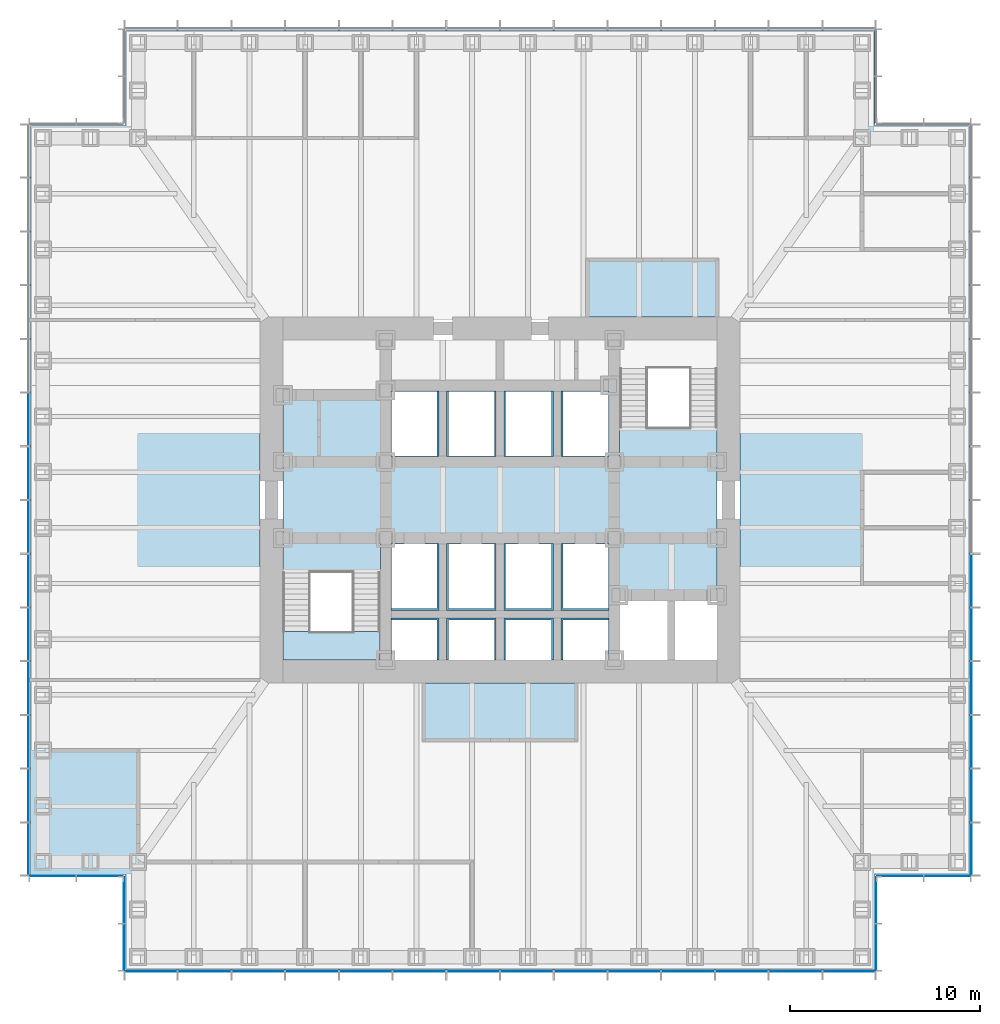
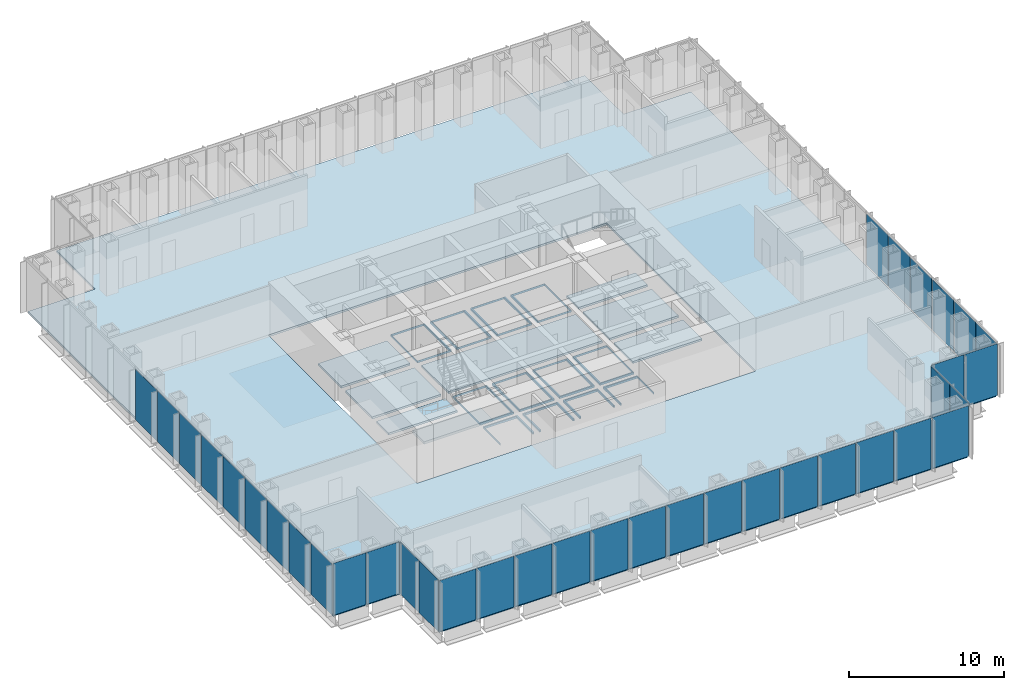
# One storey, part 7 of 17: 37 plates, 21 slabs, 8 elements without a shape of their own.
"""IFC4 building model written with IfcOpenShell, lengths in metres."""

from ifc_helpers import new_model, si_unit, direction, frame, origin, origin_2d, place, context, subcontext, project, spatial, polyline, rectangle, outline, extrude, material, layer, layer_set, type_object, element, aggregate, save


model = new_model("IFC4")

# Units and contexts
model_context = context("Model", 3, precision=1e-05, world=origin(), true_north=direction((0.0, 1.0)))
body_context = subcontext(model_context, "Body", "Model", "MODEL_VIEW")
ifc_project = project(units=[si_unit("LENGTHUNIT", "METRE"), si_unit("AREAUNIT", "SQUARE_METRE"), si_unit("VOLUMEUNIT", "CUBIC_METRE"), si_unit("PLANEANGLEUNIT", "RADIAN"), si_unit("MASSUNIT", "GRAM", prefix="KILO")], contexts=[model_context])

# Site, building, storey
site_placement = place(None, origin())
site = spatial("IfcSite", under=ifc_project, at=site_placement, CompositionType="ELEMENT")
building_placement = place(site_placement, origin())
building = spatial("IfcBuilding", under=site, at=building_placement, Name="Daluyong Arena Tower", CompositionType="ELEMENT")
storey_placement = place(building_placement, frame((0.0, 0.0, 60.10009765625)))
storey = spatial("IfcBuildingStorey", under=building, at=storey_placement, Name="L12", CompositionType="ELEMENT", Elevation=60.10009765625)

# Curtain wall, plates
ifc_material_1 = material(Name="Bronze anodised aluminium and glass", Category="aluminium")
curtain_wall_type_1 = type_object("IfcCurtainWallType", Name="Curtain wall CW1", PredefinedType="USERDEFINED", material=ifc_material_1)
curtain_wall_1_placement = place(storey_placement, origin())
curtain_wall_1 = element("IfcCurtainWall", 1, at=curtain_wall_1_placement, inside=storey, type_object=curtain_wall_type_1, Name="curtain wall L12 S", ObjectType="UNITISED CURTAIN WALL", PredefinedType="USERDEFINED")
ifc_material_2 = material(Name="Tinted double glazed unit", Category="glass")
ifc_layer_1 = layer(ifc_material_2, 0.031982421875)
ifc_layer_set_1 = layer_set([ifc_layer_1], Name="Tinted double glazed unit")
plate_type_1 = type_object("IfcPlateType", Name="CW1 panel 32", PredefinedType="CURTAIN_PANEL", material=ifc_layer_set_1)
plate_1_placement = place(storey_placement, frame((37.6806640625, 55.25, 0.0), z_axis=(0.0, 0.0, 1.0), x_axis=(1.0, 0.0, 0.0)))
plate_1 = element("IfcPlate", 2, at=plate_1_placement, type_object=plate_type_1, Name="curtain wall L12 S panel 1", PredefinedType="CURTAIN_PANEL", context=body_context, shape_type="SweptSolid", body=[
    extrude(rectangle(XDim=2.701416015625, YDim=0.031982421875, at=origin_2d()), origin(), (0.0, 0.0, 1.0), 4.0),
])
plate_2_placement = place(storey_placement, frame((40.482177734375, 55.25, 0.0), z_axis=(0.0, 0.0, 1.0), x_axis=(1.0, 0.0, 0.0)))
plate_2 = element("IfcPlate", 3, at=plate_2_placement, type_object=plate_type_1, Name="curtain wall L12 S panel 2", PredefinedType="CURTAIN_PANEL", context=body_context, shape_type="SweptSolid", body=[
    extrude(rectangle(XDim=2.741455078125, YDim=0.031982421875, at=origin_2d()), origin(), (0.0, 0.0, 1.0), 4.0),
])
plate_3_placement = place(storey_placement, frame((43.303466796875, 55.25, 0.0), z_axis=(0.0, 0.0, 1.0), x_axis=(1.0, 0.0, 0.0)))
plate_3 = element("IfcPlate", 4, at=plate_3_placement, type_object=plate_type_1, Name="curtain wall L12 S panel 3", PredefinedType="CURTAIN_PANEL", context=body_context, shape_type="SweptSolid", body=[
    extrude(rectangle(XDim=2.741455078125, YDim=0.031982421875, at=origin_2d()), origin(), (0.0, 0.0, 1.0), 4.0),
])
plate_4_placement = place(storey_placement, frame((46.125, 55.25, 0.0), z_axis=(0.0, 0.0, 1.0), x_axis=(1.0, 0.0, 0.0)))
plate_4 = element("IfcPlate", 5, at=plate_4_placement, type_object=plate_type_1, Name="curtain wall L12 S panel 4", PredefinedType="CURTAIN_PANEL", context=body_context, shape_type="SweptSolid", body=[
    extrude(rectangle(XDim=2.741455078125, YDim=0.031982421875, at=origin_2d()), origin(), (0.0, 0.0, 1.0), 4.0),
])
plate_5_placement = place(storey_placement, frame((48.946533203125, 55.25, 0.0), z_axis=(0.0, 0.0, 1.0), x_axis=(1.0, 0.0, 0.0)))
plate_5 = element("IfcPlate", 6, at=plate_5_placement, type_object=plate_type_1, Name="curtain wall L12 S panel 5", PredefinedType="CURTAIN_PANEL", context=body_context, shape_type="SweptSolid", body=[
    extrude(rectangle(XDim=2.741455078125, YDim=0.031982421875, at=origin_2d()), origin(), (0.0, 0.0, 1.0), 4.0),
])
plate_6_placement = place(storey_placement, frame((51.767822265625, 55.25, 0.0), z_axis=(0.0, 0.0, 1.0), x_axis=(1.0, 0.0, 0.0)))
plate_6 = element("IfcPlate", 7, at=plate_6_placement, type_object=plate_type_1, Name="curtain wall L12 S panel 6", PredefinedType="CURTAIN_PANEL", context=body_context, shape_type="SweptSolid", body=[
    extrude(rectangle(XDim=2.741455078125, YDim=0.031982421875, at=origin_2d()), origin(), (0.0, 0.0, 1.0), 4.0),
])
plate_7_placement = place(storey_placement, frame((54.58935546875, 55.25, 0.0), z_axis=(0.0, 0.0, 1.0), x_axis=(1.0, 0.0, 0.0)))
plate_7 = element("IfcPlate", 8, at=plate_7_placement, type_object=plate_type_1, Name="curtain wall L12 S panel 7", PredefinedType="CURTAIN_PANEL", context=body_context, shape_type="SweptSolid", body=[
    extrude(rectangle(XDim=2.741455078125, YDim=0.031982421875, at=origin_2d()), origin(), (0.0, 0.0, 1.0), 4.0),
])
plate_8_placement = place(storey_placement, frame((57.41064453125, 55.25, 0.0), z_axis=(0.0, 0.0, 1.0), x_axis=(1.0, 0.0, 0.0)))
plate_8 = element("IfcPlate", 9, at=plate_8_placement, type_object=plate_type_1, Name="curtain wall L12 S panel 8", PredefinedType="CURTAIN_PANEL", context=body_context, shape_type="SweptSolid", body=[
    extrude(rectangle(XDim=2.741455078125, YDim=0.031982421875, at=origin_2d()), origin(), (0.0, 0.0, 1.0), 4.0),
])
plate_9_placement = place(storey_placement, frame((60.232177734375, 55.25, 0.0), z_axis=(0.0, 0.0, 1.0), x_axis=(1.0, 0.0, 0.0)))
plate_9 = element("IfcPlate", 10, at=plate_9_placement, type_object=plate_type_1, Name="curtain wall L12 S panel 9", PredefinedType="CURTAIN_PANEL", context=body_context, shape_type="SweptSolid", body=[
    extrude(rectangle(XDim=2.741455078125, YDim=0.031982421875, at=origin_2d()), origin(), (0.0, 0.0, 1.0), 4.0),
])
plate_10_placement = place(storey_placement, frame((63.053466796875, 55.25, 0.0), z_axis=(0.0, 0.0, 1.0), x_axis=(1.0, 0.0, 0.0)))
plate_10 = element("IfcPlate", 11, at=plate_10_placement, type_object=plate_type_1, Name="curtain wall L12 S panel 10", PredefinedType="CURTAIN_PANEL", context=body_context, shape_type="SweptSolid", body=[
    extrude(rectangle(XDim=2.741455078125, YDim=0.031982421875, at=origin_2d()), origin(), (0.0, 0.0, 1.0), 4.0),
])
plate_11_placement = place(storey_placement, frame((65.875, 55.25, 0.0), z_axis=(0.0, 0.0, 1.0), x_axis=(1.0, 0.0, 0.0)))
plate_11 = element("IfcPlate", 12, at=plate_11_placement, type_object=plate_type_1, Name="curtain wall L12 S panel 11", PredefinedType="CURTAIN_PANEL", context=body_context, shape_type="SweptSolid", body=[
    extrude(rectangle(XDim=2.741455078125, YDim=0.031982421875, at=origin_2d()), origin(), (0.0, 0.0, 1.0), 4.0),
])
plate_12_placement = place(storey_placement, frame((68.696533203125, 55.25, 0.0), z_axis=(0.0, 0.0, 1.0), x_axis=(1.0, 0.0, 0.0)))
plate_12 = element("IfcPlate", 13, at=plate_12_placement, type_object=plate_type_1, Name="curtain wall L12 S panel 12", PredefinedType="CURTAIN_PANEL", context=body_context, shape_type="SweptSolid", body=[
    extrude(rectangle(XDim=2.741455078125, YDim=0.031982421875, at=origin_2d()), origin(), (0.0, 0.0, 1.0), 4.0),
])
plate_13_placement = place(storey_placement, frame((71.517822265625, 55.25, 0.0), z_axis=(0.0, 0.0, 1.0), x_axis=(1.0, 0.0, 0.0)))
plate_13 = element("IfcPlate", 14, at=plate_13_placement, type_object=plate_type_1, Name="curtain wall L12 S panel 13", PredefinedType="CURTAIN_PANEL", context=body_context, shape_type="SweptSolid", body=[
    extrude(rectangle(XDim=2.741455078125, YDim=0.031982421875, at=origin_2d()), origin(), (0.0, 0.0, 1.0), 4.0),
])
plate_14_placement = place(storey_placement, frame((74.3193359375, 55.25, 0.0), z_axis=(0.0, 0.0, 1.0), x_axis=(1.0, 0.0, 0.0)))
plate_14 = element("IfcPlate", 15, at=plate_14_placement, type_object=plate_type_1, Name="curtain wall L12 S panel 14", PredefinedType="CURTAIN_PANEL", context=body_context, shape_type="SweptSolid", body=[
    extrude(rectangle(XDim=2.701416015625, YDim=0.031982421875, at=origin_2d()), origin(), (0.0, 0.0, 1.0), 4.0),
])
aggregate(curtain_wall_1, [plate_1, plate_2, plate_3, plate_4, plate_5, plate_6, plate_7, plate_8, plate_9, plate_10, plate_11, plate_12, plate_13, plate_14])

curtain_wall_2_placement = place(storey_placement, origin())
curtain_wall_2 = element("IfcCurtainWall", 16, at=curtain_wall_2_placement, inside=storey, type_object=curtain_wall_type_1, Name="curtain wall L12 E", ObjectType="UNITISED CURTAIN WALL", PredefinedType="USERDEFINED")
plate_15_placement = place(storey_placement, frame((80.75, 61.6806640625, 0.0), z_axis=(0.0, 0.0, 1.0), x_axis=(0.0, 1.0, 0.0)))
plate_15 = element("IfcPlate", 17, at=plate_15_placement, type_object=plate_type_1, Name="curtain wall L12 E panel 1", PredefinedType="CURTAIN_PANEL", context=body_context, shape_type="SweptSolid", body=[
    extrude(rectangle(XDim=2.701416015625, YDim=0.031982421875, at=origin_2d()), origin(), (0.0, 0.0, 1.0), 4.0),
])
plate_16_placement = place(storey_placement, frame((80.75, 64.482177734375, 0.0), z_axis=(0.0, 0.0, 1.0), x_axis=(0.0, 1.0, 0.0)))
plate_16 = element("IfcPlate", 18, at=plate_16_placement, type_object=plate_type_1, Name="curtain wall L12 E panel 2", PredefinedType="CURTAIN_PANEL", context=body_context, shape_type="SweptSolid", body=[
    extrude(rectangle(XDim=2.741455078125, YDim=0.031982421875, at=origin_2d()), origin(), (0.0, 0.0, 1.0), 4.0),
])
plate_17_placement = place(storey_placement, frame((80.75, 67.303466796875, 0.0), z_axis=(0.0, 0.0, 1.0), x_axis=(0.0, 1.0, 0.0)))
plate_17 = element("IfcPlate", 19, at=plate_17_placement, type_object=plate_type_1, Name="curtain wall L12 E panel 3", PredefinedType="CURTAIN_PANEL", context=body_context, shape_type="SweptSolid", body=[
    extrude(rectangle(XDim=2.741455078125, YDim=0.031982421875, at=origin_2d()), origin(), (0.0, 0.0, 1.0), 4.0),
])
plate_18_placement = place(storey_placement, frame((80.75, 70.125, 0.0), z_axis=(0.0, 0.0, 1.0), x_axis=(0.0, 1.0, 0.0)))
plate_18 = element("IfcPlate", 20, at=plate_18_placement, type_object=plate_type_1, Name="curtain wall L12 E panel 4", PredefinedType="CURTAIN_PANEL", context=body_context, shape_type="SweptSolid", body=[
    extrude(rectangle(XDim=2.741455078125, YDim=0.031982421875, at=origin_2d()), origin(), (0.0, 0.0, 1.0), 4.0),
])
plate_19_placement = place(storey_placement, frame((80.75, 72.946533203125, 0.0), z_axis=(0.0, 0.0, 1.0), x_axis=(0.0, 1.0, 0.0)))
plate_19 = element("IfcPlate", 21, at=plate_19_placement, type_object=plate_type_1, Name="curtain wall L12 E panel 5", PredefinedType="CURTAIN_PANEL", context=body_context, shape_type="SweptSolid", body=[
    extrude(rectangle(XDim=2.741455078125, YDim=0.031982421875, at=origin_2d()), origin(), (0.0, 0.0, 1.0), 4.0),
])
plate_20_placement = place(storey_placement, frame((80.75, 75.767822265625, 0.0), z_axis=(0.0, 0.0, 1.0), x_axis=(0.0, 1.0, 0.0)))
plate_20 = element("IfcPlate", 22, at=plate_20_placement, type_object=plate_type_1, Name="curtain wall L12 E panel 6", PredefinedType="CURTAIN_PANEL", context=body_context, shape_type="SweptSolid", body=[
    extrude(rectangle(XDim=2.741455078125, YDim=0.031982421875, at=origin_2d()), origin(), (0.0, 0.0, 1.0), 4.0),
])
aggregate(curtain_wall_2, [plate_15, plate_16, plate_17, plate_18, plate_19, plate_20])

curtain_wall_3_placement = place(storey_placement, origin())
curtain_wall_3 = element("IfcCurtainWall", 23, at=curtain_wall_3_placement, inside=storey, type_object=curtain_wall_type_1, Name="curtain wall L12 W", ObjectType="UNITISED CURTAIN WALL", PredefinedType="USERDEFINED")
plate_21_placement = place(storey_placement, frame((31.25, 84.232177734375, 0.0), z_axis=(0.0, 0.0, 1.0), x_axis=(0.0, -1.0, 0.0)))
plate_21 = element("IfcPlate", 24, at=plate_21_placement, type_object=plate_type_1, Name="curtain wall L12 W panel 6", PredefinedType="CURTAIN_PANEL", context=body_context, shape_type="SweptSolid", body=[
    extrude(rectangle(XDim=2.741455078125, YDim=0.031982421875, at=origin_2d()), origin(), (0.0, 0.0, 1.0), 4.0),
])
plate_22_placement = place(storey_placement, frame((31.25, 81.41064453125, 0.0), z_axis=(0.0, 0.0, 1.0), x_axis=(0.0, -1.0, 0.0)))
plate_22 = element("IfcPlate", 25, at=plate_22_placement, type_object=plate_type_1, Name="curtain wall L12 W panel 7", PredefinedType="CURTAIN_PANEL", context=body_context, shape_type="SweptSolid", body=[
    extrude(rectangle(XDim=2.741455078125, YDim=0.031982421875, at=origin_2d()), origin(), (0.0, 0.0, 1.0), 4.0),
])
plate_23_placement = place(storey_placement, frame((31.25, 78.58935546875, 0.0), z_axis=(0.0, 0.0, 1.0), x_axis=(0.0, -1.0, 0.0)))
plate_23 = element("IfcPlate", 26, at=plate_23_placement, type_object=plate_type_1, Name="curtain wall L12 W panel 8", PredefinedType="CURTAIN_PANEL", context=body_context, shape_type="SweptSolid", body=[
    extrude(rectangle(XDim=2.741455078125, YDim=0.031982421875, at=origin_2d()), origin(), (0.0, 0.0, 1.0), 4.0),
])
plate_24_placement = place(storey_placement, frame((31.25, 75.767822265625, 0.0), z_axis=(0.0, 0.0, 1.0), x_axis=(0.0, -1.0, 0.0)))
plate_24 = element("IfcPlate", 27, at=plate_24_placement, type_object=plate_type_1, Name="curtain wall L12 W panel 9", PredefinedType="CURTAIN_PANEL", context=body_context, shape_type="SweptSolid", body=[
    extrude(rectangle(XDim=2.741455078125, YDim=0.031982421875, at=origin_2d()), origin(), (0.0, 0.0, 1.0), 4.0),
])
plate_25_placement = place(storey_placement, frame((31.25, 72.946533203125, 0.0), z_axis=(0.0, 0.0, 1.0), x_axis=(0.0, -1.0, 0.0)))
plate_25 = element("IfcPlate", 28, at=plate_25_placement, type_object=plate_type_1, Name="curtain wall L12 W panel 10", PredefinedType="CURTAIN_PANEL", context=body_context, shape_type="SweptSolid", body=[
    extrude(rectangle(XDim=2.741455078125, YDim=0.031982421875, at=origin_2d()), origin(), (0.0, 0.0, 1.0), 4.0),
])
plate_26_placement = place(storey_placement, frame((31.25, 70.125, 0.0), z_axis=(0.0, 0.0, 1.0), x_axis=(0.0, -1.0, 0.0)))
plate_26 = element("IfcPlate", 29, at=plate_26_placement, type_object=plate_type_1, Name="curtain wall L12 W panel 11", PredefinedType="CURTAIN_PANEL", context=body_context, shape_type="SweptSolid", body=[
    extrude(rectangle(XDim=2.741455078125, YDim=0.031982421875, at=origin_2d()), origin(), (0.0, 0.0, 1.0), 4.0),
])
plate_27_placement = place(storey_placement, frame((31.25, 67.303466796875, 0.0), z_axis=(0.0, 0.0, 1.0), x_axis=(0.0, -1.0, 0.0)))
plate_27 = element("IfcPlate", 30, at=plate_27_placement, type_object=plate_type_1, Name="curtain wall L12 W panel 12", PredefinedType="CURTAIN_PANEL", context=body_context, shape_type="SweptSolid", body=[
    extrude(rectangle(XDim=2.741455078125, YDim=0.031982421875, at=origin_2d()), origin(), (0.0, 0.0, 1.0), 4.0),
])
plate_28_placement = place(storey_placement, frame((31.25, 64.482177734375, 0.0), z_axis=(0.0, 0.0, 1.0), x_axis=(0.0, -1.0, 0.0)))
plate_28 = element("IfcPlate", 31, at=plate_28_placement, type_object=plate_type_1, Name="curtain wall L12 W panel 13", PredefinedType="CURTAIN_PANEL", context=body_context, shape_type="SweptSolid", body=[
    extrude(rectangle(XDim=2.741455078125, YDim=0.031982421875, at=origin_2d()), origin(), (0.0, 0.0, 1.0), 4.0),
])
plate_29_placement = place(storey_placement, frame((31.25, 61.6806640625, 0.0), z_axis=(0.0, 0.0, 1.0), x_axis=(0.0, -1.0, 0.0)))
plate_29 = element("IfcPlate", 32, at=plate_29_placement, type_object=plate_type_1, Name="curtain wall L12 W panel 14", PredefinedType="CURTAIN_PANEL", context=body_context, shape_type="SweptSolid", body=[
    extrude(rectangle(XDim=2.701416015625, YDim=0.031982421875, at=origin_2d()), origin(), (0.0, 0.0, 1.0), 4.0),
])
aggregate(curtain_wall_3, [plate_21, plate_22, plate_23, plate_24, plate_25, plate_26, plate_27, plate_28, plate_29])

ifc_material_3 = material(Name="Bronze anodised aluminium and glass", Category="aluminium")
curtain_wall_type_2 = type_object("IfcCurtainWallType", Name="Curtain wall CW7", PredefinedType="USERDEFINED", material=ifc_material_3)
curtain_wall_4_placement = place(storey_placement, origin())
curtain_wall_4 = element("IfcCurtainWall", 33, at=curtain_wall_4_placement, inside=storey, type_object=curtain_wall_type_2, Name="curtain wall L12 SE-E", ObjectType="UNITISED CURTAIN WALL", PredefinedType="USERDEFINED")
ifc_material_4 = material(Name="Tinted double glazed unit", Category="glass")
ifc_layer_2 = layer(ifc_material_4, 0.028076171875)
ifc_layer_set_2 = layer_set([ifc_layer_2], Name="Tinted double glazed unit")
plate_type_2 = type_object("IfcPlateType", Name="CW7 panel 28", PredefinedType="CURTAIN_PANEL", material=ifc_layer_set_2)
plate_30_placement = place(storey_placement, frame((75.75, 56.514892578125, -0.000244140625), z_axis=(0.0, 0.0, 1.0), x_axis=(0.0, 1.0, 0.0)))
plate_30 = element("IfcPlate", 34, at=plate_30_placement, type_object=plate_type_2, Name="curtain wall L12 SE-E panel 1", PredefinedType="CURTAIN_PANEL", context=body_context, shape_type="SweptSolid", body=[
    extrude(rectangle(XDim=2.409912109375, YDim=0.028076171875, at=origin_2d()), origin(), (0.0, 0.0, 1.0), 4.080078125),
])
plate_31_placement = place(storey_placement, frame((75.75, 58.985107421875, -0.000244140625), z_axis=(0.0, 0.0, 1.0), x_axis=(0.0, 1.0, 0.0)))
plate_31 = element("IfcPlate", 35, at=plate_31_placement, type_object=plate_type_2, Name="curtain wall L12 SE-E panel 2", PredefinedType="CURTAIN_PANEL", context=body_context, shape_type="SweptSolid", body=[
    extrude(rectangle(XDim=2.409912109375, YDim=0.028076171875, at=origin_2d()), origin(), (0.0, 0.0, 1.0), 4.080078125),
])
aggregate(curtain_wall_4, [plate_30, plate_31])

curtain_wall_5_placement = place(storey_placement, origin())
curtain_wall_5 = element("IfcCurtainWall", 36, at=curtain_wall_5_placement, inside=storey, type_object=curtain_wall_type_2, Name="curtain wall L12 SE-S", ObjectType="UNITISED CURTAIN WALL", PredefinedType="USERDEFINED")
plate_32_placement = place(storey_placement, frame((77.014892578125, 60.25, -0.000244140625), z_axis=(0.0, 0.0, 1.0), x_axis=(1.0, 0.0, 0.0)))
plate_32 = element("IfcPlate", 37, at=plate_32_placement, type_object=plate_type_2, Name="curtain wall L12 SE-S panel 1", PredefinedType="CURTAIN_PANEL", context=body_context, shape_type="SweptSolid", body=[
    extrude(rectangle(XDim=2.409912109375, YDim=0.028076171875, at=origin_2d()), origin(), (0.0, 0.0, 1.0), 4.080078125),
])
plate_33_placement = place(storey_placement, frame((79.485107421875, 60.25, -0.000244140625), z_axis=(0.0, 0.0, 1.0), x_axis=(1.0, 0.0, 0.0)))
plate_33 = element("IfcPlate", 38, at=plate_33_placement, type_object=plate_type_2, Name="curtain wall L12 SE-S panel 2", PredefinedType="CURTAIN_PANEL", context=body_context, shape_type="SweptSolid", body=[
    extrude(rectangle(XDim=2.409912109375, YDim=0.028076171875, at=origin_2d()), origin(), (0.0, 0.0, 1.0), 4.080078125),
])
aggregate(curtain_wall_5, [plate_32, plate_33])

curtain_wall_6_placement = place(storey_placement, origin())
curtain_wall_6 = element("IfcCurtainWall", 39, at=curtain_wall_6_placement, inside=storey, type_object=curtain_wall_type_2, Name="curtain wall L12 SW-S", ObjectType="UNITISED CURTAIN WALL", PredefinedType="USERDEFINED")
plate_34_placement = place(storey_placement, frame((32.514892578125, 60.25, -0.000244140625), z_axis=(0.0, 0.0, 1.0), x_axis=(1.0, 0.0, 0.0)))
plate_34 = element("IfcPlate", 40, at=plate_34_placement, type_object=plate_type_2, Name="curtain wall L12 SW-S panel 1", PredefinedType="CURTAIN_PANEL", context=body_context, shape_type="SweptSolid", body=[
    extrude(rectangle(XDim=2.409912109375, YDim=0.028076171875, at=origin_2d()), origin(), (0.0, 0.0, 1.0), 4.080078125),
])
plate_35_placement = place(storey_placement, frame((34.985107421875, 60.25, -0.000244140625), z_axis=(0.0, 0.0, 1.0), x_axis=(1.0, 0.0, 0.0)))
plate_35 = element("IfcPlate", 41, at=plate_35_placement, type_object=plate_type_2, Name="curtain wall L12 SW-S panel 2", PredefinedType="CURTAIN_PANEL", context=body_context, shape_type="SweptSolid", body=[
    extrude(rectangle(XDim=2.409912109375, YDim=0.028076171875, at=origin_2d()), origin(), (0.0, 0.0, 1.0), 4.080078125),
])
aggregate(curtain_wall_6, [plate_34, plate_35])

curtain_wall_7_placement = place(storey_placement, origin())
curtain_wall_7 = element("IfcCurtainWall", 42, at=curtain_wall_7_placement, inside=storey, type_object=curtain_wall_type_2, Name="curtain wall L12 SW-W", ObjectType="UNITISED CURTAIN WALL", PredefinedType="USERDEFINED")
plate_36_placement = place(storey_placement, frame((36.25, 58.985107421875, -0.000244140625), z_axis=(0.0, 0.0, 1.0), x_axis=(0.0, -1.0, 0.0)))
plate_36 = element("IfcPlate", 43, at=plate_36_placement, type_object=plate_type_2, Name="curtain wall L12 SW-W panel 1", PredefinedType="CURTAIN_PANEL", context=body_context, shape_type="SweptSolid", body=[
    extrude(rectangle(XDim=2.409912109375, YDim=0.028076171875, at=origin_2d()), origin(), (0.0, 0.0, 1.0), 4.080078125),
])
plate_37_placement = place(storey_placement, frame((36.25, 56.514892578125, -0.000244140625), z_axis=(0.0, 0.0, 1.0), x_axis=(0.0, -1.0, 0.0)))
plate_37 = element("IfcPlate", 44, at=plate_37_placement, type_object=plate_type_2, Name="curtain wall L12 SW-W panel 2", PredefinedType="CURTAIN_PANEL", context=body_context, shape_type="SweptSolid", body=[
    extrude(rectangle(XDim=2.409912109375, YDim=0.028076171875, at=origin_2d()), origin(), (0.0, 0.0, 1.0), 4.080078125),
])
aggregate(curtain_wall_7, [plate_36, plate_37])

# Stair, slab
ifc_material_5 = material(Name="Concrete fc' 35 MPa", Category="concrete")
stair_type = type_object("IfcStairType", Name="Core exit stair", PredefinedType="HALF_TURN_STAIR", material=ifc_material_5)
stair_placement = place(storey_placement, origin())
stair = element("IfcStair", 45, at=stair_placement, inside=storey, type_object=stair_type, Name="exit stair A L12", PredefinedType="HALF_TURN_STAIR")
ifc_material_6 = material(Name="Concrete fc' 35 MPa", Category="concrete")
ifc_layer_3 = layer(ifc_material_6, 0.199951171875)
ifc_layer_set_3 = layer_set([ifc_layer_3], Name="Concrete fc' 35 MPa")
slab_type_1 = type_object("IfcSlabType", Name="Stair landing 200", PredefinedType="LANDING", material=ifc_layer_set_3)
slab_1_placement = place(storey_placement, frame((0.0, 0.0, 1.89990234375)))
slab_1 = element("IfcSlab", 46, at=slab_1_placement, type_object=slab_type_1, Name="STA landing 1", PredefinedType="LANDING", context=body_context, shape_type="SweptSolid", body=[
    extrude(outline(polyline([(44.60009765625, 71.60009765625), (49.699951171875, 71.60009765625), (49.699951171875, 73.094970703125), (44.60009765625, 73.094970703125), (44.60009765625, 71.60009765625)])), origin(), (0.0, 0.0, 1.0), 0.199951171875),
])
aggregate(stair, [slab_1])

# Slabs
ifc_material_7 = material(Name="Concrete fc' 35 MPa", Category="concrete")
ifc_layer_4 = layer(ifc_material_7, 0.159912109375)
ifc_layer_set_4 = layer_set([ifc_layer_4], Name="Concrete fc' 35 MPa")
slab_type_2 = type_object("IfcSlabType", Name="Tower floor slab 160", PredefinedType="FLOOR", material=ifc_layer_set_4)
slab_2_placement = place(storey_placement, frame((0.0, 0.0, -0.16015625)))
element("IfcSlab", 47, at=slab_2_placement, inside=storey, type_object=slab_type_2, Name="floor L12 part 1", PredefinedType="FLOOR", context=body_context, shape_type="SweptSolid", body=[
    extrude(outline(polyline([(49.72509765625, 76.175048828125), (49.72509765625, 77.72509765625), (44.60009765625, 77.72509765625), (44.60009765625, 76.175048828125), (49.72509765625, 76.175048828125)])), origin(), (0.0, 0.0, 1.0), 0.16015625),
])
slab_3_placement = place(storey_placement, frame((0.0, 0.0, -0.16015625)))
element("IfcSlab", 48, at=slab_3_placement, inside=storey, type_object=slab_type_2, Name="floor L12 part 2", PredefinedType="FLOOR", context=body_context, shape_type="SweptSolid", body=[
    extrude(outline(polyline([(49.72509765625, 78.27490234375), (49.72509765625, 81.72509765625), (44.60009765625, 81.72509765625), (44.60009765625, 78.27490234375), (49.72509765625, 78.27490234375)])), origin(), (0.0, 0.0, 1.0), 0.16015625),
])
slab_4_placement = place(storey_placement, frame((0.0, 0.0, -0.16015625)))
element("IfcSlab", 49, at=slab_4_placement, inside=storey, type_object=slab_type_2, Name="floor L12 part 3", PredefinedType="FLOOR", context=body_context, shape_type="SweptSolid", body=[
    extrude(outline(polyline([(49.72509765625, 82.27490234375), (49.72509765625, 85.22509765625), (44.60009765625, 85.22509765625), (44.60009765625, 82.27490234375), (49.72509765625, 82.27490234375)])), origin(), (0.0, 0.0, 1.0), 0.16015625),
])
slab_5_placement = place(storey_placement, frame((0.0, 0.0, -0.16015625)))
element("IfcSlab", 50, at=slab_5_placement, inside=storey, type_object=slab_type_2, Name="floor L12 part 5", PredefinedType="FLOOR", context=body_context, shape_type="SweptSolid", body=[
    extrude(outline(polyline([(52.699951171875, 73.699951171875), (52.699951171875, 71.60009765625), (52.800048828125, 71.60009765625), (52.800048828125, 73.800048828125), (50.27490234375, 73.800048828125), (50.27490234375, 71.60009765625), (50.300048828125, 71.60009765625), (50.300048828125, 73.699951171875), (52.699951171875, 73.699951171875)])), origin(), (0.0, 0.0, 1.0), 0.16015625),
])
slab_6_placement = place(storey_placement, frame((0.0, 0.0, -0.16015625)))
element("IfcSlab", 51, at=slab_6_placement, inside=storey, type_object=slab_type_2, Name="floor L12 part 6", PredefinedType="FLOOR", context=body_context, shape_type="SweptSolid", body=[
    extrude(outline(polyline([(50.27490234375, 77.72509765625), (50.27490234375, 74.199951171875), (52.800048828125, 74.199951171875), (52.800048828125, 77.72509765625), (50.27490234375, 77.72509765625)]), holes=[polyline([(52.699951171875, 77.699951171875), (52.699951171875, 74.300048828125), (50.300048828125, 74.300048828125), (50.300048828125, 77.699951171875), (52.699951171875, 77.699951171875)])]), origin(), (0.0, 0.0, 1.0), 0.16015625),
])
slab_7_placement = place(storey_placement, frame((0.0, 0.0, -0.16015625)))
element("IfcSlab", 52, at=slab_7_placement, inside=storey, type_object=slab_type_2, Name="floor L12 part 7", PredefinedType="FLOOR", context=body_context, shape_type="SweptSolid", body=[
    extrude(outline(polyline([(50.27490234375, 85.72509765625), (50.27490234375, 82.27490234375), (52.800048828125, 82.27490234375), (52.800048828125, 85.72509765625), (50.27490234375, 85.72509765625)]), holes=[polyline([(52.699951171875, 85.699951171875), (52.699951171875, 82.300048828125), (50.300048828125, 82.300048828125), (50.300048828125, 85.699951171875), (52.699951171875, 85.699951171875)])]), origin(), (0.0, 0.0, 1.0), 0.16015625),
])
slab_8_placement = place(storey_placement, frame((0.0, 0.0, -0.16015625)))
element("IfcSlab", 53, at=slab_8_placement, inside=storey, type_object=slab_type_2, Name="floor L12 part 9", PredefinedType="FLOOR", context=body_context, shape_type="SweptSolid", body=[
    extrude(outline(polyline([(55.699951171875, 73.699951171875), (55.699951171875, 71.60009765625), (55.800048828125, 71.60009765625), (55.800048828125, 73.800048828125), (53.199951171875, 73.800048828125), (53.199951171875, 71.60009765625), (53.300048828125, 71.60009765625), (53.300048828125, 73.699951171875), (55.699951171875, 73.699951171875)])), origin(), (0.0, 0.0, 1.0), 0.16015625),
])
slab_9_placement = place(storey_placement, frame((0.0, 0.0, -0.16015625)))
element("IfcSlab", 54, at=slab_9_placement, inside=storey, type_object=slab_type_2, Name="floor L12 part 10", PredefinedType="FLOOR", context=body_context, shape_type="SweptSolid", body=[
    extrude(outline(polyline([(53.199951171875, 77.72509765625), (53.199951171875, 74.199951171875), (55.800048828125, 74.199951171875), (55.800048828125, 77.72509765625), (53.199951171875, 77.72509765625)]), holes=[polyline([(55.699951171875, 77.699951171875), (55.699951171875, 74.300048828125), (53.300048828125, 74.300048828125), (53.300048828125, 77.699951171875), (55.699951171875, 77.699951171875)])]), origin(), (0.0, 0.0, 1.0), 0.16015625),
])
slab_10_placement = place(storey_placement, frame((0.0, 0.0, -0.16015625)))
element("IfcSlab", 55, at=slab_10_placement, inside=storey, type_object=slab_type_2, Name="floor L12 part 11", PredefinedType="FLOOR", context=body_context, shape_type="SweptSolid", body=[
    extrude(outline(polyline([(53.199951171875, 85.72509765625), (53.199951171875, 82.27490234375), (55.800048828125, 82.27490234375), (55.800048828125, 85.72509765625), (53.199951171875, 85.72509765625)]), holes=[polyline([(55.699951171875, 85.699951171875), (55.699951171875, 82.300048828125), (53.300048828125, 82.300048828125), (53.300048828125, 85.699951171875), (55.699951171875, 85.699951171875)])]), origin(), (0.0, 0.0, 1.0), 0.16015625),
])
slab_11_placement = place(storey_placement, frame((0.0, 0.0, -0.16015625)))
element("IfcSlab", 56, at=slab_11_placement, inside=storey, type_object=slab_type_2, Name="floor L12 part 12", PredefinedType="FLOOR", context=body_context, shape_type="SweptSolid", body=[
    extrude(outline(polyline([(36.35009765625, 60.35009765625), (36.35009765625, 55.35009765625), (75.64990234375, 55.35009765625), (75.64990234375, 60.35009765625), (80.64990234375, 60.35009765625), (80.64990234375, 99.64990234375), (75.64990234375, 99.64990234375), (75.64990234375, 104.64990234375), (36.35009765625, 104.64990234375), (36.35009765625, 99.64990234375), (31.35009765625, 99.64990234375), (31.35009765625, 60.35009765625), (36.35009765625, 60.35009765625)]), holes=[polyline([(68.60009765625, 89.60009765625), (68.60009765625, 70.39990234375), (43.39990234375, 70.39990234375), (43.39990234375, 89.60009765625), (68.60009765625, 89.60009765625)])]), origin(), (0.0, 0.0, 1.0), 0.16015625),
])
slab_12_placement = place(storey_placement, frame((0.0, 0.0, -0.16015625)))
element("IfcSlab", 57, at=slab_12_placement, inside=storey, type_object=slab_type_2, Name="floor L12 part 13", PredefinedType="FLOOR", context=body_context, shape_type="SweptSolid", body=[
    extrude(outline(polyline([(61.72509765625, 81.72509765625), (50.27490234375, 81.72509765625), (50.27490234375, 78.27490234375), (61.72509765625, 78.27490234375), (61.72509765625, 81.72509765625)])), origin(), (0.0, 0.0, 1.0), 0.16015625),
])
slab_13_placement = place(storey_placement, frame((0.0, 0.0, -0.16015625)))
element("IfcSlab", 58, at=slab_13_placement, inside=storey, type_object=slab_type_2, Name="floor L12 part 14", PredefinedType="FLOOR", context=body_context, shape_type="SweptSolid", body=[
    extrude(outline(polyline([(58.699951171875, 73.699951171875), (58.699951171875, 71.60009765625), (58.800048828125, 71.60009765625), (58.800048828125, 73.800048828125), (56.199951171875, 73.800048828125), (56.199951171875, 71.60009765625), (56.300048828125, 71.60009765625), (56.300048828125, 73.699951171875), (58.699951171875, 73.699951171875)])), origin(), (0.0, 0.0, 1.0), 0.16015625),
])
slab_14_placement = place(storey_placement, frame((0.0, 0.0, -0.16015625)))
element("IfcSlab", 59, at=slab_14_placement, inside=storey, type_object=slab_type_2, Name="floor L12 part 15", PredefinedType="FLOOR", context=body_context, shape_type="SweptSolid", body=[
    extrude(outline(polyline([(56.199951171875, 77.72509765625), (56.199951171875, 74.199951171875), (58.800048828125, 74.199951171875), (58.800048828125, 77.72509765625), (56.199951171875, 77.72509765625)]), holes=[polyline([(58.699951171875, 77.699951171875), (58.699951171875, 74.300048828125), (56.300048828125, 74.300048828125), (56.300048828125, 77.699951171875), (58.699951171875, 77.699951171875)])]), origin(), (0.0, 0.0, 1.0), 0.16015625),
])
slab_15_placement = place(storey_placement, frame((0.0, 0.0, -0.16015625)))
element("IfcSlab", 60, at=slab_15_placement, inside=storey, type_object=slab_type_2, Name="floor L12 part 16", PredefinedType="FLOOR", context=body_context, shape_type="SweptSolid", body=[
    extrude(outline(polyline([(56.199951171875, 85.72509765625), (56.199951171875, 82.27490234375), (58.800048828125, 82.27490234375), (58.800048828125, 85.72509765625), (56.199951171875, 85.72509765625)]), holes=[polyline([(58.699951171875, 85.699951171875), (58.699951171875, 82.300048828125), (56.300048828125, 82.300048828125), (56.300048828125, 85.699951171875), (58.699951171875, 85.699951171875)])]), origin(), (0.0, 0.0, 1.0), 0.16015625),
])
slab_16_placement = place(storey_placement, frame((0.0, 0.0, -0.16015625)))
element("IfcSlab", 61, at=slab_16_placement, inside=storey, type_object=slab_type_2, Name="floor L12 part 18", PredefinedType="FLOOR", context=body_context, shape_type="SweptSolid", body=[
    extrude(outline(polyline([(59.199951171875, 82.27490234375), (61.72509765625, 82.27490234375), (61.72509765625, 85.72509765625), (59.199951171875, 85.72509765625), (59.199951171875, 82.27490234375)]), holes=[polyline([(61.699951171875, 82.300048828125), (59.300048828125, 82.300048828125), (59.300048828125, 85.699951171875), (61.699951171875, 85.699951171875), (61.699951171875, 82.300048828125)])]), origin(), (0.0, 0.0, 1.0), 0.16015625),
])
slab_17_placement = place(storey_placement, frame((0.0, 0.0, -0.16015625)))
element("IfcSlab", 62, at=slab_17_placement, inside=storey, type_object=slab_type_2, Name="floor L12 part 19", PredefinedType="FLOOR", context=body_context, shape_type="SweptSolid", body=[
    extrude(outline(polyline([(59.199951171875, 74.199951171875), (61.72509765625, 74.199951171875), (61.72509765625, 77.72509765625), (59.199951171875, 77.72509765625), (59.199951171875, 74.199951171875)]), holes=[polyline([(61.699951171875, 77.699951171875), (61.699951171875, 74.300048828125), (59.300048828125, 74.300048828125), (59.300048828125, 77.699951171875), (61.699951171875, 77.699951171875)])]), origin(), (0.0, 0.0, 1.0), 0.16015625),
])
slab_18_placement = place(storey_placement, frame((0.0, 0.0, -0.16015625)))
element("IfcSlab", 63, at=slab_18_placement, inside=storey, type_object=slab_type_2, Name="floor L12 part 20", PredefinedType="FLOOR", context=body_context, shape_type="SweptSolid", body=[
    extrude(outline(polyline([(61.72509765625, 73.800048828125), (59.199951171875, 73.800048828125), (59.199951171875, 71.60009765625), (59.300048828125, 71.60009765625), (59.300048828125, 73.699951171875), (61.699951171875, 73.699951171875), (61.699951171875, 71.60009765625), (61.72509765625, 71.60009765625), (61.72509765625, 73.800048828125)])), origin(), (0.0, 0.0, 1.0), 0.16015625),
])
slab_19_placement = place(storey_placement, frame((0.0, 0.0, -0.16015625)))
element("IfcSlab", 64, at=slab_19_placement, inside=storey, type_object=slab_type_2, Name="floor L12 part 21", PredefinedType="FLOOR", context=body_context, shape_type="SweptSolid", body=[
    extrude(outline(polyline([(67.39990234375, 75.27490234375), (67.39990234375, 77.72509765625), (62.27490234375, 77.72509765625), (62.27490234375, 75.27490234375), (67.39990234375, 75.27490234375)])), origin(), (0.0, 0.0, 1.0), 0.16015625),
])
slab_20_placement = place(storey_placement, frame((0.0, 0.0, -0.16015625)))
element("IfcSlab", 65, at=slab_20_placement, inside=storey, type_object=slab_type_2, Name="floor L12 part 22", PredefinedType="FLOOR", context=body_context, shape_type="SweptSolid", body=[
    extrude(outline(polyline([(67.39990234375, 78.27490234375), (67.39990234375, 81.72509765625), (62.27490234375, 81.72509765625), (62.27490234375, 78.27490234375), (67.39990234375, 78.27490234375)])), origin(), (0.0, 0.0, 1.0), 0.16015625),
])
slab_21_placement = place(storey_placement, frame((0.0, 0.0, -0.16015625)))
element("IfcSlab", 66, at=slab_21_placement, inside=storey, type_object=slab_type_2, Name="floor L12 part 23", PredefinedType="FLOOR", context=body_context, shape_type="SweptSolid", body=[
    extrude(outline(polyline([(67.39990234375, 82.27490234375), (67.39990234375, 83.824951171875), (62.27490234375, 83.824951171875), (62.27490234375, 82.27490234375), (67.39990234375, 82.27490234375)])), origin(), (0.0, 0.0, 1.0), 0.16015625),
])

save(model, "model.ifc")
